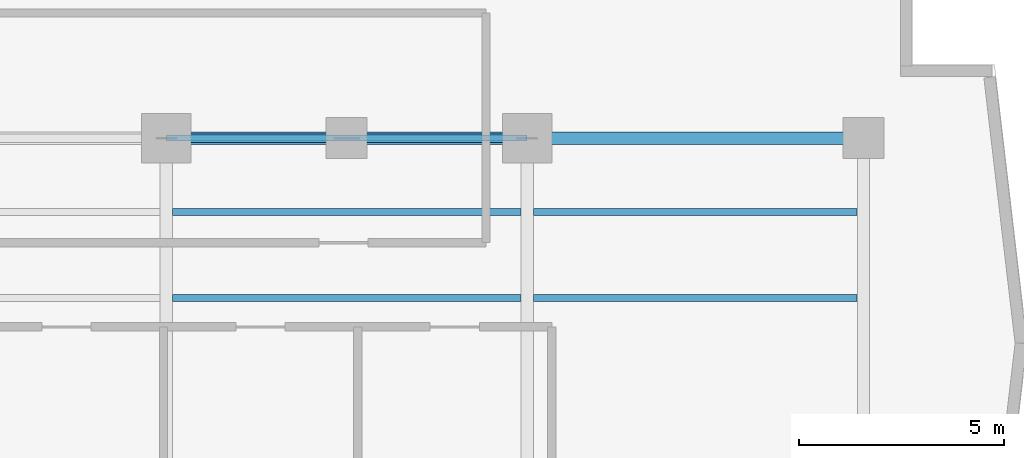
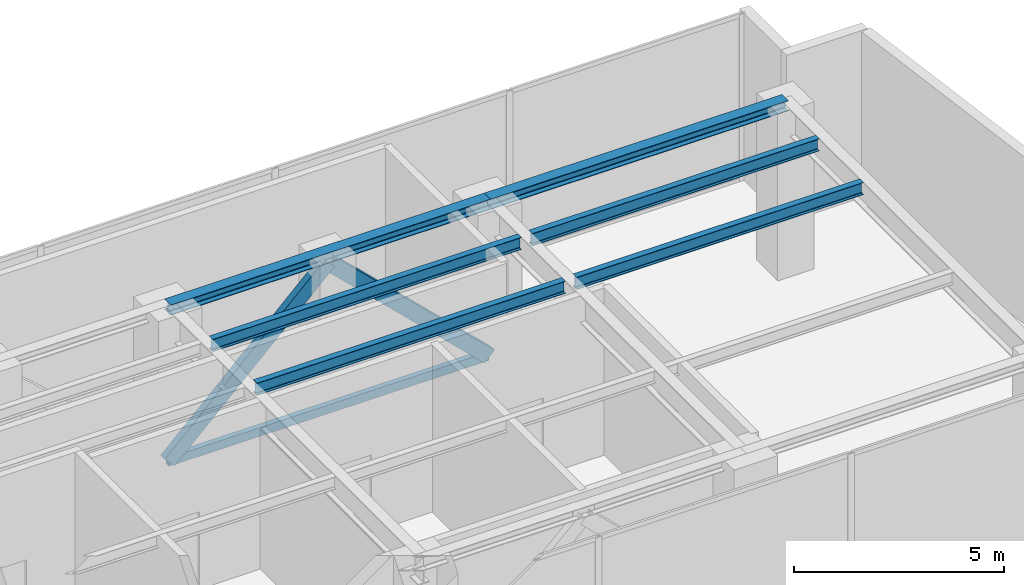
# One storey, part 18 of 36: 6 beams, 3 members.
"""IFC4 building model written with IfcOpenShell, lengths in metres."""

from ifc_helpers import new_model, si_unit, direction, frame, origin, origin_2d, place, context, subcontext, project, spatial, hollow_rectangle, i_section, extrude, material, material_profile, profile_set, type_object, element, save


model = new_model("IFC4")

# Units and contexts
model_context = context("Model", 3, precision=1e-05, world=origin(), true_north=direction((0.0, 1.0)))
body_context = subcontext(model_context, "Body", "Model", "MODEL_VIEW")
ifc_project = project(units=[si_unit("LENGTHUNIT", "METRE"), si_unit("AREAUNIT", "SQUARE_METRE"), si_unit("VOLUMEUNIT", "CUBIC_METRE"), si_unit("PLANEANGLEUNIT", "RADIAN"), si_unit("MASSUNIT", "GRAM", prefix="KILO")], contexts=[model_context])

# Site, building, storey
site_placement = place(None, origin())
site = spatial("IfcSite", under=ifc_project, at=site_placement, CompositionType="ELEMENT")
building_placement = place(site_placement, origin())
building = spatial("IfcBuilding", under=site, at=building_placement, Name="Kolvaren Waterfront Exchange", CompositionType="ELEMENT")
storey_placement = place(building_placement, frame((0.0, 0.0, 199.39990234375)))
storey = spatial("IfcBuildingStorey", under=building, at=storey_placement, Name="L51", CompositionType="ELEMENT", Elevation=199.39990234375)

# Beams
ifc_material_1 = material(Name="Steel S355", Category="steel")
ifc_material_profile_1 = material_profile(ifc_material_1, i_section(OverallWidth=0.300048828125, OverallDepth=0.300048828125, WebThickness=0.010986328125, FlangeThickness=0.01904296875, FilletRadius=0.027099609375, at=origin_2d()), Name="HEB300")
ifc_profile_set_1 = profile_set([ifc_material_profile_1], Name="Steel S355")
beam_type_1 = type_object("IfcBeamType", Name="STR-BM-HEB300", PredefinedType="SPANDREL", material=ifc_profile_set_1)
beam_1_placement = place(storey_placement, frame((36.800048828125, 17.39990234375, 4.710205078125), z_axis=(1.0, 0.0, 0.0), x_axis=(0.0, 1.0, 0.0)))
element("IfcBeam", 1, at=beam_1_placement, inside=storey, type_object=beam_type_1, Name="L51 east-arm spandrel N3", PredefinedType="SPANDREL", context=body_context, shape_type="SweptSolid", body=[
    extrude(i_section(OverallWidth=0.300048828125, OverallDepth=0.300048828125, WebThickness=0.010986328125, FlangeThickness=0.01904296875, FilletRadius=0.027099609375, at=origin_2d()), origin(), (0.0, 0.0, 1.0), 8.800048828125),
])
beam_2_placement = place(storey_placement, frame((45.60009765625, 17.39990234375, 4.710205078125), z_axis=(1.0, 0.0, 0.0), x_axis=(0.0, 1.0, 0.0)))
element("IfcBeam", 2, at=beam_2_placement, inside=storey, type_object=beam_type_1, Name="L51 east-arm spandrel N4", PredefinedType="SPANDREL", context=body_context, shape_type="SweptSolid", body=[
    extrude(i_section(OverallWidth=0.300048828125, OverallDepth=0.300048828125, WebThickness=0.010986328125, FlangeThickness=0.01904296875, FilletRadius=0.027099609375, at=origin_2d()), origin(), (0.0, 0.0, 1.0), 8.199951171875),
])
ifc_material_profile_2 = material_profile(ifc_material_1, i_section(OverallWidth=0.169921875, OverallDepth=0.360107421875, WebThickness=0.008056640625, FlangeThickness=0.0126953125, FilletRadius=0.01806640625, at=origin_2d()), Name="IPE360")
ifc_profile_set_2 = profile_set([ifc_material_profile_2], Name="Steel S355")
beam_type_2 = type_object("IfcBeamType", Name="STR-BM-IPE360", PredefinedType="JOIST", material=ifc_profile_set_2)
for number, where, z_axis, x_axis, name in (
    (3, (36.951904296875, 13.5, 4.68017578125), (1.0, 0.0, 0.0), (0.0, 1.0, 0.0), "L51 east-arm composite joist 3A"),
    (4, (36.951904296875, 15.60009765625, 4.68017578125), (1.0, 0.0, 0.0), (0.0, 1.0, 0.0), "L51 east-arm composite joist 3C"),
):
    element("IfcBeam", number, at=place(storey_placement, frame(where, z_axis=z_axis, x_axis=x_axis)), inside=storey, type_object=beam_type_2, Name=name, PredefinedType="JOIST", context=body_context, shape_type="SweptSolid", body=[
        extrude(i_section(OverallWidth=0.169921875, OverallDepth=0.360107421875, WebThickness=0.008056640625, FlangeThickness=0.0126953125, FilletRadius=0.01806640625, at=origin_2d()), origin(), (0.0, 0.0, 1.0), 8.49609375),
    ])
for number, where, z_axis, x_axis, name in (
    (5, (45.751953125, 13.5, 4.68017578125), (1.0, 0.0, 0.0), (0.0, 1.0, 0.0), "L51 east-arm composite joist 4A"),
    (6, (45.751953125, 15.60009765625, 4.68017578125), (1.0, 0.0, 0.0), (0.0, 1.0, 0.0), "L51 east-arm composite joist 4C"),
):
    element("IfcBeam", number, at=place(storey_placement, frame(where, z_axis=z_axis, x_axis=x_axis)), inside=storey, type_object=beam_type_2, Name=name, PredefinedType="JOIST", context=body_context, shape_type="SweptSolid", body=[
        extrude(i_section(OverallWidth=0.169921875, OverallDepth=0.360107421875, WebThickness=0.008056640625, FlangeThickness=0.0126953125, FilletRadius=0.01806640625, at=origin_2d()), origin(), (0.0, 0.0, 1.0), 7.89599609375),
    ])

# Members
ifc_material_2 = material(Name="Steel S460", Category="steel")
ifc_material_profile_3 = material_profile(ifc_material_2, hollow_rectangle(XDim=0.14990234375, YDim=0.25, WallThickness=0.010009765625, at=origin_2d()), Name="RHS250x150x10")
ifc_profile_set_3 = profile_set([ifc_material_profile_3], Name="Steel S460")
member_type_1 = type_object("IfcMemberType", Name="STR-BR-RHS250", PredefinedType="CHORD", material=ifc_profile_set_3)
member_1_placement = place(storey_placement, frame((36.800048828125, 17.39990234375, 0.25), z_axis=(1.0, 0.0, 0.0), x_axis=(0.0, 1.0, 0.0)))
element("IfcMember", 7, at=member_1_placement, inside=storey, type_object=member_type_1, Name="L51 belt-truss bottom chord BT2", PredefinedType="CHORD", context=body_context, shape_type="SweptSolid", body=[
    extrude(hollow_rectangle(XDim=0.14990234375, YDim=0.25, WallThickness=0.010009765625, at=origin_2d()), origin(), (0.0, 0.0, 1.0), 8.800048828125),
])
ifc_material_profile_4 = material_profile(ifc_material_2, hollow_rectangle(XDim=0.199951171875, YDim=0.39990234375, WallThickness=0.01611328125, at=origin_2d()), Name="RHS400x200x16")
ifc_profile_set_4 = profile_set([ifc_material_profile_4], Name="Steel S460")
member_type_2 = type_object("IfcMemberType", Name="STR-BR-RHS400", PredefinedType="BRACE", material=ifc_profile_set_4)
member_2_placement = place(storey_placement, frame((36.800048828125, 17.39990234375, 0.25), z_axis=(0.718435680477, 0.0, 0.695593396329), x_axis=(0.0, 1.0, 0.0)))
element("IfcMember", 8, at=member_2_placement, inside=storey, type_object=member_type_2, Name="L51 belt-truss chevron brace BT2L", PredefinedType="BRACE", context=body_context, shape_type="SweptSolid", body=[
    extrude(hollow_rectangle(XDim=0.199951171875, YDim=0.39990234375, WallThickness=0.01611328125, at=origin_2d()), origin(), (0.0, 0.0, 1.0), 6.124267578125),
])
member_3_placement = place(storey_placement, frame((45.60009765625, 17.39990234375, 0.25), z_axis=(-0.718454968031, 0.0, 0.695573474847), x_axis=(0.0, -1.0, 0.0)))
element("IfcMember", 9, at=member_3_placement, inside=storey, type_object=member_type_2, Name="L51 belt-truss chevron brace BT2R", PredefinedType="BRACE", context=body_context, shape_type="SweptSolid", body=[
    extrude(hollow_rectangle(XDim=0.199951171875, YDim=0.39990234375, WallThickness=0.01611328125, at=origin_2d()), origin(), (0.0, 0.0, 1.0), 6.12451171875),
])

save(model, "model.ifc")
